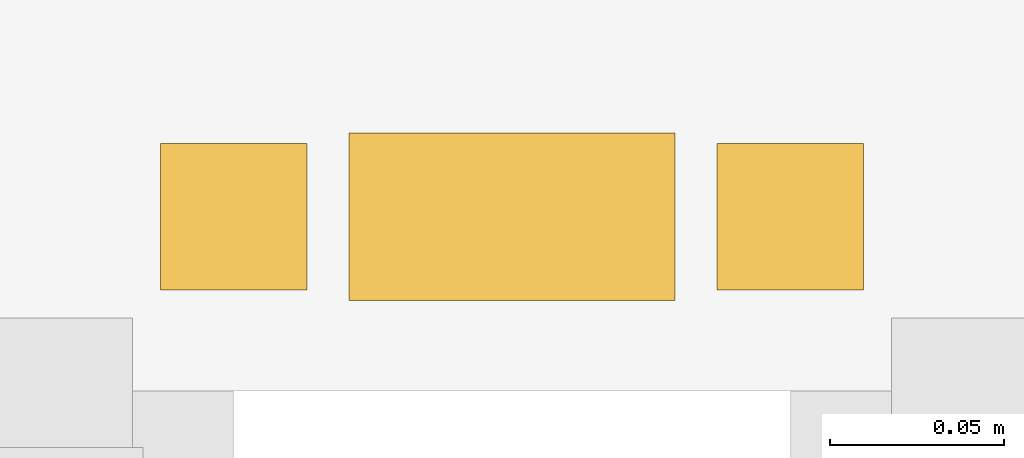
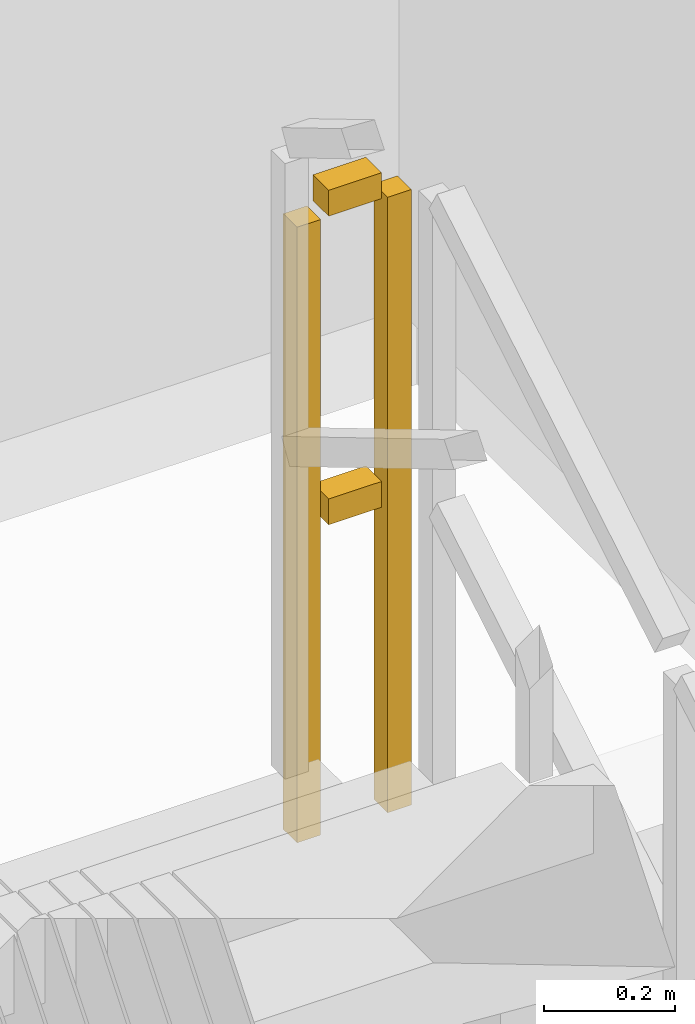
# One storey, part 14 of 14: 1 railing.
"""IFC4 building model written with IfcOpenShell, lengths in metres."""

from ifc_helpers import new_model, si_unit, direction, frame, origin, origin_2d, place, context, subcontext, project, spatial, rectangle, extrude, material, type_object, element, save


model = new_model("IFC4")

# Units and contexts
model_context = context("Model", 3, precision=1e-05, world=origin(), true_north=direction((0.0, 1.0)))
body_context = subcontext(model_context, "Body", "Model", "MODEL_VIEW")
ifc_project = project(units=[si_unit("LENGTHUNIT", "METRE"), si_unit("AREAUNIT", "SQUARE_METRE"), si_unit("VOLUMEUNIT", "CUBIC_METRE"), si_unit("PLANEANGLEUNIT", "RADIAN"), si_unit("MASSUNIT", "GRAM", prefix="KILO")], contexts=[model_context])

# Site, building, storey
site_placement = place(None, origin())
site = spatial("IfcSite", under=ifc_project, at=site_placement, CompositionType="ELEMENT")
building_placement = place(site_placement, origin())
building = spatial("IfcBuilding", under=site, at=building_placement, Name="Saelheon Loggia Tower", CompositionType="ELEMENT")
storey_placement = place(building_placement, frame((0.0, 0.0, 113.85009765625)))
storey = spatial("IfcBuildingStorey", under=building, at=storey_placement, Name="L36", CompositionType="ELEMENT", Elevation=113.85009765625)

# Railing
ifc_material = material(Name="Galvanised Steel S275 Stairwell Guardrail", Category="steel")
railing_type = type_object("IfcRailingType", Name="Guard_StairWell_RL_STG", PredefinedType="GUARDRAIL", material=ifc_material)
railing_placement = place(storey_placement, frame((42.489990234375, 32.739990234375, 1.5)))
element("IfcRailing", 1, at=railing_placement, inside=storey, type_object=railing_type, Name="L36 ST2 stair guard 2", PredefinedType="GUARDRAIL", context=body_context, shape_type="SweptSolid", body=[
    extrude(rectangle(XDim=0.048095703125, YDim=0.048095703125, at=origin_2d()), frame((-0.033203125, 0.0, 1.17578125), z_axis=(-1.0, 0.0, 0.0), x_axis=(0.0, -1.0, 0.0)), (0.0, 0.0, 1.0), 0.093505859375),
    extrude(rectangle(XDim=0.048095703125, YDim=0.048095703125, at=origin_2d()), frame((-0.033203125, 0.0, 0.60009765625), z_axis=(-1.0, 0.0, 0.0), x_axis=(0.0, -1.0, 0.0)), (0.0, 0.0, 1.0), 0.093505859375),
    extrude(rectangle(XDim=0.0419921875, YDim=0.0419921875, at=origin_2d()), origin(), (0.0, 0.0, 1.0), 1.14794921875),
    extrude(rectangle(XDim=0.0419921875, YDim=0.0419921875, at=origin_2d()), frame((-0.159912109375, 0.0, 0.0)), (0.0, 0.0, 1.0), 1.14794921875),
])

save(model, "model.ifc")
